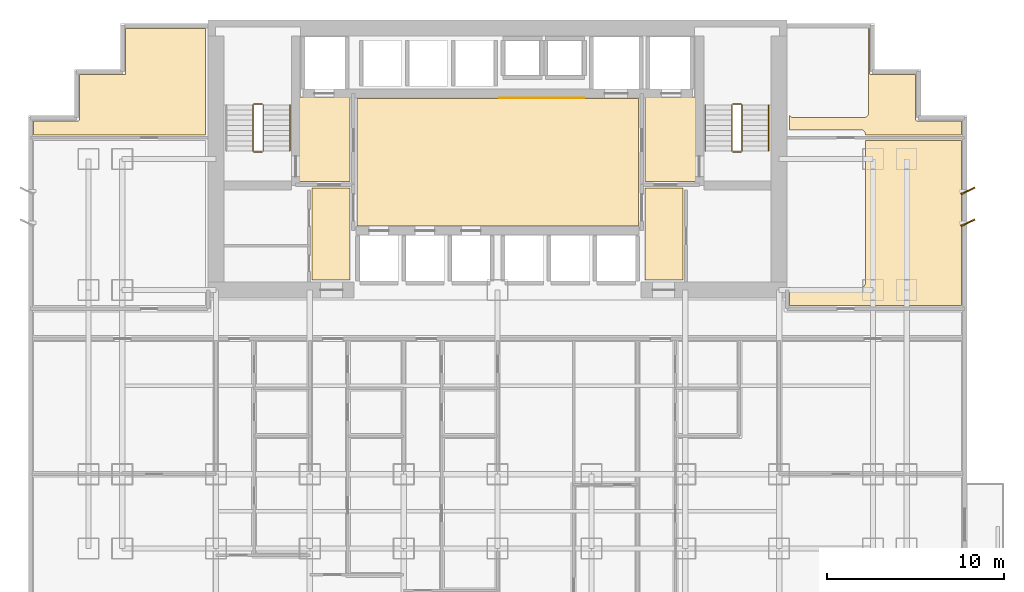
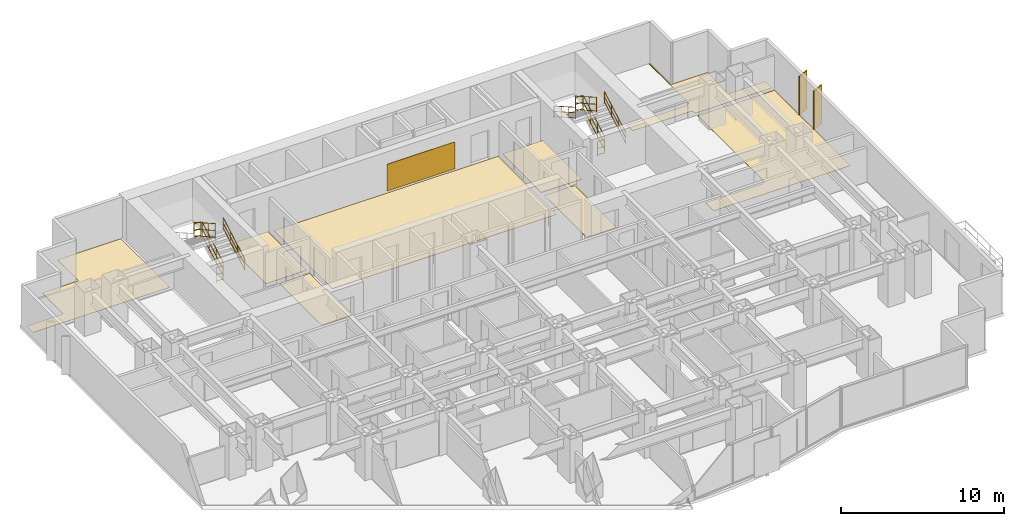
# One storey, part 10 of 10: 11 railings, 9 coverings, 2 shading devices.
"""IFC4 building model written with IfcOpenShell, lengths in metres."""

from ifc_helpers import new_model, si_unit, direction, frame, origin, origin_2d, place, context, subcontext, project, spatial, polyline, rectangle, circle, outline, extrude, source, transform, mapped, material, layer, layer_set, type_object, element, save


model = new_model("IFC4")

# Units and contexts
model_context = context("Model", 3, precision=1e-05, world=origin(), true_north=direction((0.0, 1.0)))
body_context = subcontext(model_context, "Body", "Model", "MODEL_VIEW")
ifc_project = project(units=[si_unit("LENGTHUNIT", "METRE"), si_unit("AREAUNIT", "SQUARE_METRE"), si_unit("VOLUMEUNIT", "CUBIC_METRE"), si_unit("PLANEANGLEUNIT", "RADIAN"), si_unit("MASSUNIT", "GRAM", prefix="KILO")], contexts=[model_context])

# Site, building, storey
site_placement = place(None, origin())
site = spatial("IfcSite", under=ifc_project, at=site_placement, CompositionType="ELEMENT")
building_placement = place(site_placement, origin())
building = spatial("IfcBuilding", under=site, at=building_placement, Name="Qianlan Lanfeng Residences", CompositionType="ELEMENT")
storey_placement = place(building_placement, frame((0.0, 0.0, 34.10009765625)))
storey = spatial("IfcBuildingStorey", under=building, at=storey_placement, Name="L08", CompositionType="ELEMENT", Elevation=34.10009765625)

# Coverings
ifc_material_1 = material(Name="Anodised Bronze Feature Wall Cladding")
ifc_layer_1 = layer(ifc_material_1, 0.02490234375)
ifc_layer_set_1 = layer_set([ifc_layer_1], Name="Anodised Bronze Feature Wall Cladding")
covering_type_1 = type_object("IfcCoveringType", Name="CLD-BRZ-25", PredefinedType="CLADDING", material=ifc_layer_set_1)
covering_1_placement = place(storey_placement, frame((0.0, 0.0, 0.14990234375)))
element("IfcCovering", 1, at=covering_1_placement, inside=storey, type_object=covering_type_1, Name="L08 Lift Lobby Bronze Feature Cladding", PredefinedType="CLADDING", context=body_context, shape_type="SweptSolid", body=[
    extrude(outline(polyline([(26.60009765625, 36.02490234375), (31.39990234375, 36.02490234375), (31.39990234375, 36.050048828125), (26.60009765625, 36.050048828125), (26.60009765625, 36.02490234375)])), origin(), (0.0, 0.0, 1.0), 2.02001953125),
])
ifc_material_2 = material(Name="Honed Taitung Granite Stone Flooring", Category="masonry")
ifc_layer_2 = layer(ifc_material_2, 0.030029296875)
ifc_layer_set_2 = layer_set([ifc_layer_2], Name="Honed Taitung Granite Stone Flooring")
covering_type_2 = type_object("IfcCoveringType", Name="FLR-STN-30", PredefinedType="FLOORING", material=ifc_layer_set_2)
covering_2_placement = place(storey_placement, origin())
element("IfcCovering", 2, at=covering_2_placement, inside=storey, type_object=covering_type_2, Name="L08 Firefighting Lift Lobby Floor Finish", PredefinedType="FLOORING", context=body_context, shape_type="SweptSolid", body=[
    extrude(outline(polyline([(15.2900390625, 31.320068359375), (18.179931640625, 31.320068359375), (18.179931640625, 36.110107421875), (15.2900390625, 36.110107421875), (15.2900390625, 31.320068359375)])), origin(), (0.0, 0.0, 1.0), 0.02978515625),
])
covering_3_placement = place(storey_placement, origin())
element("IfcCovering", 3, at=covering_3_placement, inside=storey, type_object=covering_type_2, Name="L08 Firefighting Lift Lobby Floor Finish", PredefinedType="FLOORING", context=body_context, shape_type="SweptSolid", body=[
    extrude(outline(polyline([(34.820068359375, 31.320068359375), (37.7099609375, 31.320068359375), (37.7099609375, 36.110107421875), (34.820068359375, 36.110107421875), (34.820068359375, 31.320068359375)])), origin(), (0.0, 0.0, 1.0), 0.02978515625),
])
covering_4_placement = place(storey_placement, origin())
element("IfcCovering", 4, at=covering_4_placement, inside=storey, type_object=covering_type_2, Name="L08 Lift Lobby Floor Finish", PredefinedType="FLOORING", context=body_context, shape_type="SweptSolid", body=[
    extrude(outline(polyline([(18.550048828125, 28.820068359375), (34.449951171875, 28.820068359375), (34.449951171875, 36.010009765625), (18.550048828125, 36.010009765625), (18.550048828125, 28.820068359375)])), origin(), (0.0, 0.0, 1.0), 0.02978515625),
])
covering_5_placement = place(storey_placement, origin())
element("IfcCovering", 5, at=covering_5_placement, inside=storey, type_object=covering_type_2, Name="L08 Lift Lobby Floor Finish", PredefinedType="FLOORING", context=body_context, shape_type="SweptSolid", body=[
    extrude(outline(polyline([(16.030029296875, 25.760009765625), (18.169921875, 25.760009765625), (18.169921875, 30.949951171875), (16.030029296875, 30.949951171875), (16.030029296875, 25.760009765625)])), origin(), (0.0, 0.0, 1.0), 0.02978515625),
])
covering_6_placement = place(storey_placement, origin())
element("IfcCovering", 6, at=covering_6_placement, inside=storey, type_object=covering_type_2, Name="L08 Lift Lobby Floor Finish", PredefinedType="FLOORING", context=body_context, shape_type="SweptSolid", body=[
    extrude(outline(polyline([(34.830078125, 25.760009765625), (36.969970703125, 25.760009765625), (36.969970703125, 30.949951171875), (34.830078125, 30.949951171875), (34.830078125, 25.760009765625)])), origin(), (0.0, 0.0, 1.0), 0.02978515625),
])
ifc_material_3 = material(Name="Engineered Smoked Oak Timber Flooring", Category="wood")
ifc_layer_3 = layer(ifc_material_3, 0.02197265625)
ifc_layer_set_3 = layer_set([ifc_layer_3], Name="Engineered Smoked Oak Timber Flooring")
covering_type_3 = type_object("IfcCoveringType", Name="FLR-TIM-22", PredefinedType="FLOORING", material=ifc_layer_set_3)
covering_7_placement = place(storey_placement, origin())
element("IfcCovering", 7, at=covering_7_placement, inside=storey, type_object=covering_type_3, Name="L08 Resident Lounge Floor Finish", PredefinedType="FLOORING", context=body_context, shape_type="SweptSolid", body=[
    extrude(outline(polyline([(0.2900390625, 33.949951171875), (10.0, 33.949951171875), (10.0, 39.9599609375), (5.489990234375, 39.9599609375), (5.489990234375, 37.429931640625), (5.489990234375, 37.423095703125), (5.489013671875, 37.416015625), (5.487060546875, 37.409912109375), (5.485107421875, 37.403076171875), (5.48193359375, 37.39697265625), (5.47802734375, 37.39111328125), (5.47412109375, 37.385986328125), (5.468994140625, 37.381103515625), (5.464111328125, 37.3759765625), (5.458984375, 37.3720703125), (5.452880859375, 37.367919921875), (5.447021484375, 37.364990234375), (5.43994140625, 37.363037109375), (5.43408203125, 37.361083984375), (5.427001953125, 37.360107421875), (5.419921875, 37.360107421875), (2.889892578125, 37.360107421875), (2.889892578125, 34.830078125), (2.889892578125, 34.822998046875), (2.888916015625, 34.81591796875), (2.886962890625, 34.81005859375), (2.885009765625, 34.802978515625), (2.882080078125, 34.797119140625), (2.8779296875, 34.791015625), (2.8740234375, 34.785888671875), (2.868896484375, 34.781005859375), (2.864013671875, 34.77587890625), (2.85888671875, 34.77197265625), (2.85302734375, 34.76806640625), (2.846923828125, 34.764892578125), (2.840087890625, 34.762939453125), (2.833984375, 34.760986328125), (2.826904296875, 34.760009765625), (2.820068359375, 34.760009765625), (0.2900390625, 34.760009765625), (0.2900390625, 33.949951171875)])), origin(), (0.0, 0.0, 1.0), 0.02197265625),
])
covering_8_placement = place(storey_placement, origin())
element("IfcCovering", 8, at=covering_8_placement, inside=storey, type_object=covering_type_3, Name="L08 Conservatory Salon Floor Finish", PredefinedType="FLOORING", context=body_context, shape_type="SweptSolid", body=[
    extrude(outline(polyline([(52.7099609375, 33.64990234375), (47.27001953125, 33.64990234375), (47.27001953125, 25.60009765625), (47.26904296875, 25.574951171875), (47.264892578125, 25.551025390625), (47.259033203125, 25.527099609375), (47.2509765625, 25.50390625), (47.239990234375, 25.48193359375), (47.22802734375, 25.4609375), (47.212890625, 25.44091796875), (47.197021484375, 25.423095703125), (47.178955078125, 25.406982421875), (47.158935546875, 25.39208984375), (47.137939453125, 25.3798828125), (47.115966796875, 25.368896484375), (47.093017578125, 25.361083984375), (47.069091796875, 25.35498046875), (47.044921875, 25.35107421875), (47.02001953125, 25.35009765625), (43.080078125, 25.35009765625), (43.054931640625, 25.35107421875), (43.031005859375, 25.35498046875), (43.007080078125, 25.361083984375), (43.0, 25.363037109375), (43.0, 24.330078125), (52.7099609375, 24.330078125), (52.7099609375, 33.64990234375)])), origin(), (0.0, 0.0, 1.0), 0.02197265625),
])
covering_9_placement = place(storey_placement, origin())
element("IfcCovering", 9, at=covering_9_placement, inside=storey, type_object=covering_type_3, Name="L08 Resident Lounge Floor Finish", PredefinedType="FLOORING", context=body_context, shape_type="SweptSolid", body=[
    extrude(outline(polyline([(43.0, 34.237060546875), (43.007080078125, 34.239013671875), (43.031005859375, 34.2451171875), (43.054931640625, 34.2490234375), (43.080078125, 34.25), (47.02001953125, 34.25), (47.044921875, 34.2490234375), (47.069091796875, 34.2451171875), (47.093017578125, 34.239013671875), (47.115966796875, 34.23095703125), (47.137939453125, 34.219970703125), (47.158935546875, 34.2080078125), (47.178955078125, 34.193115234375), (47.197021484375, 34.177001953125), (47.212890625, 34.158935546875), (47.22802734375, 34.138916015625), (47.239990234375, 34.117919921875), (47.2509765625, 34.095947265625), (47.259033203125, 34.072998046875), (47.264892578125, 34.049072265625), (47.26904296875, 34.02490234375), (47.27001953125, 34.0), (47.27001953125, 33.949951171875), (52.7099609375, 33.949951171875), (52.7099609375, 34.760009765625), (50.179931640625, 34.760009765625), (50.173095703125, 34.760009765625), (50.166015625, 34.760986328125), (50.159912109375, 34.762939453125), (50.153076171875, 34.764892578125), (50.14697265625, 34.76806640625), (50.14111328125, 34.77197265625), (50.135986328125, 34.77587890625), (50.131103515625, 34.781005859375), (50.1259765625, 34.785888671875), (50.1220703125, 34.791015625), (50.117919921875, 34.797119140625), (50.114990234375, 34.802978515625), (50.113037109375, 34.81005859375), (50.111083984375, 34.81591796875), (50.110107421875, 34.822998046875), (50.110107421875, 34.830078125), (50.110107421875, 37.360107421875), (47.580078125, 37.360107421875), (47.572998046875, 37.360107421875), (47.56591796875, 37.361083984375), (47.56005859375, 37.363037109375), (47.552978515625, 37.364990234375), (47.547119140625, 37.367919921875), (47.541015625, 37.3720703125), (47.535888671875, 37.3759765625), (47.531005859375, 37.381103515625), (47.52587890625, 37.385986328125), (47.52197265625, 37.39111328125), (47.51806640625, 37.39697265625), (47.514892578125, 37.403076171875), (47.512939453125, 37.409912109375), (47.510986328125, 37.416015625), (47.510009765625, 37.423095703125), (47.510009765625, 37.429931640625), (47.510009765625, 39.9599609375), (47.449951171875, 39.9599609375), (47.449951171875, 35.199951171875), (47.448974609375, 35.175048828125), (47.445068359375, 35.15087890625), (47.43896484375, 35.126953125), (47.430908203125, 35.10400390625), (47.419921875, 35.08203125), (47.407958984375, 35.06103515625), (47.39306640625, 35.041015625), (47.376953125, 35.02294921875), (47.35888671875, 35.007080078125), (47.339111328125, 34.991943359375), (47.318115234375, 34.97998046875), (47.2958984375, 34.968994140625), (47.27294921875, 34.9609375), (47.2490234375, 34.955078125), (47.22509765625, 34.950927734375), (47.199951171875, 34.949951171875), (43.199951171875, 34.949951171875), (43.175048828125, 34.950927734375), (43.15087890625, 34.955078125), (43.126953125, 34.9609375), (43.10400390625, 34.968994140625), (43.08203125, 34.97998046875), (43.06103515625, 34.991943359375), (43.041015625, 35.007080078125), (43.02294921875, 35.02294921875), (43.007080078125, 35.041015625), (43.0, 35.050048828125), (43.0, 34.237060546875)])), origin(), (0.0, 0.0, 1.0), 0.02197265625),
])

# Railings
ifc_material_4 = material(Name="Painted Galvanised Steel Guardrail", Category="steel")
railing_type_1 = type_object("IfcRailingType", Name="GR-ST-1120", PredefinedType="GUARDRAIL", material=ifc_material_4)
railing_1_placement = place(storey_placement, frame((13.27001953125, 33.050048828125, 0.164794921875)))
element("IfcRailing", 10, at=railing_1_placement, inside=storey, type_object=railing_type_1, Name="L08 ST-1 stair guard 1", PredefinedType="GUARDRAIL", context=body_context, shape_type="SweptSolid", body=[
    extrude(circle(Radius=0.02392578125, at=origin_2d()), frame((0.0, 0.0, 0.083984375), z_axis=(0.0, 0.869137319866, 0.494570843475), x_axis=(-1.0, 0.0, 0.0)), (0.0, 0.0, 1.0), 3.0029296875),
    extrude(circle(Radius=0.02392578125, at=origin_2d()), frame((0.0, 0.0, 0.58251953125), z_axis=(0.0, 0.869137319866, 0.494570843475), x_axis=(-1.0, 0.0, 0.0)), (0.0, 0.0, 1.0), 3.0029296875),
    extrude(circle(Radius=0.02392578125, at=origin_2d()), frame((0.0, 0.0, 1.09619140625), z_axis=(0.0, 0.869137319866, 0.494570843475), x_axis=(-1.0, 0.0, 0.0)), (0.0, 0.0, 1.0), 3.0029296875),
    extrude(circle(Radius=0.02099609375, at=origin_2d()), origin(), (0.0, 0.0, 1.0), 1.072021484375),
    extrude(circle(Radius=0.02099609375, at=origin_2d()), frame((0.0, 0.869873046875, 0.4951171875)), (0.0, 0.0, 1.0), 1.072021484375),
    extrude(circle(Radius=0.02099609375, at=origin_2d()), frame((0.0, 1.739990234375, 0.989990234375)), (0.0, 0.0, 1.0), 1.072021484375),
    extrude(circle(Radius=0.02099609375, at=origin_2d()), frame((0.0, 2.60986328125, 1.485107421875)), (0.0, 0.0, 1.0), 1.072021484375),
])
railing_2_placement = place(storey_placement, frame((13.219970703125, 35.7099609375, 1.64990234375)))
element("IfcRailing", 11, at=railing_2_placement, inside=storey, type_object=railing_type_1, Name="L08 ST-1 stair guard 2", PredefinedType="GUARDRAIL", context=body_context, shape_type="SweptSolid", body=[
    extrude(circle(Radius=0.02392578125, at=origin_2d()), frame((0.0, 0.0, 0.083984375), z_axis=(-1.0, 0.0, 0.0), x_axis=(0.0, -1.0, 0.0)), (0.0, 0.0, 1.0), 0.47998046875),
    extrude(circle(Radius=0.02392578125, at=origin_2d()), frame((0.0, 0.0, 0.58251953125), z_axis=(-1.0, 0.0, 0.0), x_axis=(0.0, -1.0, 0.0)), (0.0, 0.0, 1.0), 0.47998046875),
    extrude(circle(Radius=0.02392578125, at=origin_2d()), frame((0.0, 0.0, 1.09619140625), z_axis=(-1.0, 0.0, 0.0), x_axis=(0.0, -1.0, 0.0)), (0.0, 0.0, 1.0), 0.47998046875),
    extrude(circle(Radius=0.02099609375, at=origin_2d()), origin(), (0.0, 0.0, 1.0), 1.072021484375),
    extrude(circle(Radius=0.02099609375, at=origin_2d()), frame((-0.47998046875, 0.0, 0.0)), (0.0, 0.0, 1.0), 1.072021484375),
])
railing_3_placement = place(storey_placement, frame((12.68994140625, 35.659912109375, 1.81494140625)))
element("IfcRailing", 12, at=railing_3_placement, inside=storey, type_object=railing_type_1, Name="L08 ST-1 stair guard 3", PredefinedType="GUARDRAIL", context=body_context, shape_type="SweptSolid", body=[
    extrude(circle(Radius=0.02392578125, at=origin_2d()), frame((0.0, 0.0, 0.083984375), z_axis=(0.0, -0.869172267526, 0.494509422927), x_axis=(1.0, 0.0, 0.0)), (0.0, 0.0, 1.0), 3.002685546875),
    extrude(circle(Radius=0.02392578125, at=origin_2d()), frame((0.0, 0.0, 0.58251953125), z_axis=(0.0, -0.869172267526, 0.494509422927), x_axis=(1.0, 0.0, 0.0)), (0.0, 0.0, 1.0), 3.002685546875),
    extrude(circle(Radius=0.02392578125, at=origin_2d()), frame((0.0, 0.0, 1.09619140625), z_axis=(0.0, -0.869172267526, 0.494509422927), x_axis=(1.0, 0.0, 0.0)), (0.0, 0.0, 1.0), 3.002685546875),
    extrude(circle(Radius=0.02099609375, at=origin_2d()), origin(), (0.0, 0.0, 1.0), 1.072021484375),
    extrude(circle(Radius=0.02099609375, at=origin_2d()), frame((0.0, -0.869873046875, 0.494873046875)), (0.0, 0.0, 1.0), 1.072021484375),
    extrude(circle(Radius=0.02099609375, at=origin_2d()), frame((0.0, -1.739990234375, 0.989990234375)), (0.0, 0.0, 1.0), 1.072021484375),
    extrude(circle(Radius=0.02099609375, at=origin_2d()), frame((0.0, -2.60986328125, 1.48486328125)), (0.0, 0.0, 1.0), 1.072021484375),
])
railing_4_placement = place(storey_placement, frame((13.219970703125, 33.0, 0.0)))
element("IfcRailing", 13, at=railing_4_placement, inside=storey, type_object=railing_type_1, Name="L08 ST-1 stair guard 4", PredefinedType="GUARDRAIL", context=body_context, shape_type="SweptSolid", body=[
    extrude(circle(Radius=0.02392578125, at=origin_2d()), frame((0.0, 0.0, 0.083984375), z_axis=(-1.0, 0.0, 0.0), x_axis=(0.0, -1.0, 0.0)), (0.0, 0.0, 1.0), 0.47998046875),
    extrude(circle(Radius=0.02392578125, at=origin_2d()), frame((0.0, 0.0, 0.58251953125), z_axis=(-1.0, 0.0, 0.0), x_axis=(0.0, -1.0, 0.0)), (0.0, 0.0, 1.0), 0.47998046875),
    extrude(circle(Radius=0.02392578125, at=origin_2d()), frame((0.0, 0.0, 1.09619140625), z_axis=(-1.0, 0.0, 0.0), x_axis=(0.0, -1.0, 0.0)), (0.0, 0.0, 1.0), 0.47998046875),
    extrude(circle(Radius=0.02099609375, at=origin_2d()), origin(), (0.0, 0.0, 1.0), 1.072021484375),
    extrude(circle(Radius=0.02099609375, at=origin_2d()), frame((-0.47998046875, 0.0, 0.0)), (0.0, 0.0, 1.0), 1.072021484375),
])
railing_5_placement = place(storey_placement, frame((40.31005859375, 33.050048828125, 0.164794921875)))
element("IfcRailing", 14, at=railing_5_placement, inside=storey, type_object=railing_type_1, Name="L08 ST-2 stair guard 1", PredefinedType="GUARDRAIL", context=body_context, shape_type="SweptSolid", body=[
    extrude(circle(Radius=0.02392578125, at=origin_2d()), frame((0.0, 0.0, 0.083984375), z_axis=(0.0, 0.869137319866, 0.494570843475), x_axis=(-1.0, 0.0, 0.0)), (0.0, 0.0, 1.0), 3.0029296875),
    extrude(circle(Radius=0.02392578125, at=origin_2d()), frame((0.0, 0.0, 0.58251953125), z_axis=(0.0, 0.869137319866, 0.494570843475), x_axis=(-1.0, 0.0, 0.0)), (0.0, 0.0, 1.0), 3.0029296875),
    extrude(circle(Radius=0.02392578125, at=origin_2d()), frame((0.0, 0.0, 1.09619140625), z_axis=(0.0, 0.869137319866, 0.494570843475), x_axis=(-1.0, 0.0, 0.0)), (0.0, 0.0, 1.0), 3.0029296875),
    extrude(circle(Radius=0.02099609375, at=origin_2d()), origin(), (0.0, 0.0, 1.0), 1.072021484375),
    extrude(circle(Radius=0.02099609375, at=origin_2d()), frame((0.0, 0.869873046875, 0.4951171875)), (0.0, 0.0, 1.0), 1.072021484375),
    extrude(circle(Radius=0.02099609375, at=origin_2d()), frame((0.0, 1.739990234375, 0.989990234375)), (0.0, 0.0, 1.0), 1.072021484375),
    extrude(circle(Radius=0.02099609375, at=origin_2d()), frame((0.0, 2.60986328125, 1.485107421875)), (0.0, 0.0, 1.0), 1.072021484375),
])
railing_6_placement = place(storey_placement, frame((40.260009765625, 35.7099609375, 1.64990234375)))
element("IfcRailing", 15, at=railing_6_placement, inside=storey, type_object=railing_type_1, Name="L08 ST-2 stair guard 2", PredefinedType="GUARDRAIL", context=body_context, shape_type="SweptSolid", body=[
    extrude(circle(Radius=0.02392578125, at=origin_2d()), frame((0.0, 0.0, 0.083984375), z_axis=(-1.0, 0.0, 0.0), x_axis=(0.0, -1.0, 0.0)), (0.0, 0.0, 1.0), 0.47998046875),
    extrude(circle(Radius=0.02392578125, at=origin_2d()), frame((0.0, 0.0, 0.58251953125), z_axis=(-1.0, 0.0, 0.0), x_axis=(0.0, -1.0, 0.0)), (0.0, 0.0, 1.0), 0.47998046875),
    extrude(circle(Radius=0.02392578125, at=origin_2d()), frame((0.0, 0.0, 1.09619140625), z_axis=(-1.0, 0.0, 0.0), x_axis=(0.0, -1.0, 0.0)), (0.0, 0.0, 1.0), 0.47998046875),
    extrude(circle(Radius=0.02099609375, at=origin_2d()), origin(), (0.0, 0.0, 1.0), 1.072021484375),
    extrude(circle(Radius=0.02099609375, at=origin_2d()), frame((-0.47998046875, 0.0, 0.0)), (0.0, 0.0, 1.0), 1.072021484375),
])
railing_7_placement = place(storey_placement, frame((39.72998046875, 35.659912109375, 1.81494140625)))
element("IfcRailing", 16, at=railing_7_placement, inside=storey, type_object=railing_type_1, Name="L08 ST-2 stair guard 3", PredefinedType="GUARDRAIL", context=body_context, shape_type="SweptSolid", body=[
    extrude(circle(Radius=0.02392578125, at=origin_2d()), frame((0.0, 0.0, 0.083984375), z_axis=(0.0, -0.869172267526, 0.494509422927), x_axis=(1.0, 0.0, 0.0)), (0.0, 0.0, 1.0), 3.002685546875),
    extrude(circle(Radius=0.02392578125, at=origin_2d()), frame((0.0, 0.0, 0.58251953125), z_axis=(0.0, -0.869172267526, 0.494509422927), x_axis=(1.0, 0.0, 0.0)), (0.0, 0.0, 1.0), 3.002685546875),
    extrude(circle(Radius=0.02392578125, at=origin_2d()), frame((0.0, 0.0, 1.09619140625), z_axis=(0.0, -0.869172267526, 0.494509422927), x_axis=(1.0, 0.0, 0.0)), (0.0, 0.0, 1.0), 3.002685546875),
    extrude(circle(Radius=0.02099609375, at=origin_2d()), origin(), (0.0, 0.0, 1.0), 1.072021484375),
    extrude(circle(Radius=0.02099609375, at=origin_2d()), frame((0.0, -0.869873046875, 0.494873046875)), (0.0, 0.0, 1.0), 1.072021484375),
    extrude(circle(Radius=0.02099609375, at=origin_2d()), frame((0.0, -1.739990234375, 0.989990234375)), (0.0, 0.0, 1.0), 1.072021484375),
    extrude(circle(Radius=0.02099609375, at=origin_2d()), frame((0.0, -2.60986328125, 1.48486328125)), (0.0, 0.0, 1.0), 1.072021484375),
])
railing_8_placement = place(storey_placement, frame((40.260009765625, 33.0, 0.0)))
element("IfcRailing", 17, at=railing_8_placement, inside=storey, type_object=railing_type_1, Name="L08 ST-2 stair guard 4", PredefinedType="GUARDRAIL", context=body_context, shape_type="SweptSolid", body=[
    extrude(circle(Radius=0.02392578125, at=origin_2d()), frame((0.0, 0.0, 0.083984375), z_axis=(-1.0, 0.0, 0.0), x_axis=(0.0, -1.0, 0.0)), (0.0, 0.0, 1.0), 0.47998046875),
    extrude(circle(Radius=0.02392578125, at=origin_2d()), frame((0.0, 0.0, 0.58251953125), z_axis=(-1.0, 0.0, 0.0), x_axis=(0.0, -1.0, 0.0)), (0.0, 0.0, 1.0), 0.47998046875),
    extrude(circle(Radius=0.02392578125, at=origin_2d()), frame((0.0, 0.0, 1.09619140625), z_axis=(-1.0, 0.0, 0.0), x_axis=(0.0, -1.0, 0.0)), (0.0, 0.0, 1.0), 0.47998046875),
    extrude(circle(Radius=0.02099609375, at=origin_2d()), origin(), (0.0, 0.0, 1.0), 1.072021484375),
    extrude(circle(Radius=0.02099609375, at=origin_2d()), frame((-0.47998046875, 0.0, 0.0)), (0.0, 0.0, 1.0), 1.072021484375),
])
ifc_material_5 = material(Name="Brushed Stainless Steel Handrail", Category="steel")
railing_type_2 = type_object("IfcRailingType", Name="HR-ST-920", PredefinedType="HANDRAIL", material=ifc_material_5)
for number, where, name in (
    (18, (14.77001953125, 33.050048828125, 0.164794921875), "L08 ST-1 stair handrail 1"),
    (19, (41.81005859375, 33.050048828125, 0.164794921875), "L08 ST-2 stair handrail 1"),
):
    element("IfcRailing", number, at=place(storey_placement, frame(where)), inside=storey, type_object=railing_type_2, Name=name, PredefinedType="HANDRAIL", context=body_context, shape_type="SweptSolid", body=[
        extrude(circle(Radius=0.02392578125, at=origin_2d()), frame((0.0, 0.0, 0.083984375), z_axis=(0.0, 0.869137319866, 0.494570843475), x_axis=(-1.0, 0.0, 0.0)), (0.0, 0.0, 1.0), 3.0029296875),
        extrude(circle(Radius=0.02392578125, at=origin_2d()), frame((0.0, 0.0, 0.468017578125), z_axis=(0.0, 0.869137319866, 0.494570843475), x_axis=(-1.0, 0.0, 0.0)), (0.0, 0.0, 1.0), 3.0029296875),
        extrude(circle(Radius=0.02392578125, at=origin_2d()), frame((0.0, 0.0, 0.8759765625), z_axis=(0.0, 0.869137319866, 0.494570843475), x_axis=(-1.0, 0.0, 0.0)), (0.0, 0.0, 1.0), 3.0029296875),
        extrude(circle(Radius=0.02099609375, at=origin_2d()), origin(), (0.0, 0.0, 1.0), 0.851806640625),
        extrude(circle(Radius=0.02099609375, at=origin_2d()), frame((0.0, 0.869873046875, 0.4951171875)), (0.0, 0.0, 1.0), 0.851806640625),
        extrude(circle(Radius=0.02099609375, at=origin_2d()), frame((0.0, 1.739990234375, 0.989990234375)), (0.0, 0.0, 1.0), 0.851806640625),
        extrude(circle(Radius=0.02099609375, at=origin_2d()), frame((0.0, 2.60986328125, 1.485107421875)), (0.0, 0.0, 1.0), 0.851806640625),
    ])
railing_9_placement = place(storey_placement, frame((38.22998046875, 35.659912109375, 1.81494140625)))
element("IfcRailing", 20, at=railing_9_placement, inside=storey, type_object=railing_type_2, Name="L08 ST-2 stair handrail 2", PredefinedType="HANDRAIL", context=body_context, shape_type="SweptSolid", body=[
    extrude(circle(Radius=0.02392578125, at=origin_2d()), frame((0.0, 0.0, 0.083984375), z_axis=(0.0, -0.869172267526, 0.494509422927), x_axis=(1.0, 0.0, 0.0)), (0.0, 0.0, 1.0), 3.002685546875),
    extrude(circle(Radius=0.02392578125, at=origin_2d()), frame((0.0, 0.0, 0.468017578125), z_axis=(0.0, -0.869172267526, 0.494509422927), x_axis=(1.0, 0.0, 0.0)), (0.0, 0.0, 1.0), 3.002685546875),
    extrude(circle(Radius=0.02392578125, at=origin_2d()), frame((0.0, 0.0, 0.8759765625), z_axis=(0.0, -0.869172267526, 0.494509422927), x_axis=(1.0, 0.0, 0.0)), (0.0, 0.0, 1.0), 3.002685546875),
    extrude(circle(Radius=0.02099609375, at=origin_2d()), origin(), (0.0, 0.0, 1.0), 0.851806640625),
    extrude(circle(Radius=0.02099609375, at=origin_2d()), frame((0.0, -0.869873046875, 0.494873046875)), (0.0, 0.0, 1.0), 0.851806640625),
    extrude(circle(Radius=0.02099609375, at=origin_2d()), frame((0.0, -1.739990234375, 0.989990234375)), (0.0, 0.0, 1.0), 0.851806640625),
    extrude(circle(Radius=0.02099609375, at=origin_2d()), frame((0.0, -2.60986328125, 1.48486328125)), (0.0, 0.0, 1.0), 0.851806640625),
])

# Shading devices
ifc_material_6 = material(Name="Anodised Bronze Aluminium Solar Fin", Category="aluminium")
shading_device_type = type_object("IfcShadingDeviceType", Name="FIN-BRZ-850", PredefinedType="SHUTTER", material=ifc_material_6)
shared_shape = source(origin(), body_context, "Body", "SweptSolid", [
    extrude(rectangle(XDim=0.85009765625, YDim=0.080078125, at=origin_2d()), origin(), (0.0, 0.0, 1.0), 2.89990234375),
])
for number, where, z_axis, x_axis, name in (
    (21, (53.070068359375, 29.0, 0.0), (0.0, 0.0, 1.0), (0.898794046299, 0.438371146789, 0.0), "L08 Raked Bronze Solar Fin E1"),
    (22, (53.070068359375, 30.800048828125, 0.0), (0.0, 0.0, 1.0), (0.898794046299, 0.438371146789, 0.0), "L08 Raked Bronze Solar Fin E2"),
):
    element("IfcShadingDevice", number, at=place(storey_placement, frame(where, z_axis=z_axis, x_axis=x_axis)), inside=storey, type_object=shading_device_type, Name=name, PredefinedType="SHUTTER", context=body_context, shape_type="MappedRepresentation", body=[
        mapped(shared_shape, transform((0.0, 0.0, 0.0), scale=1.0)),
    ])

save(model, "model.ifc")
